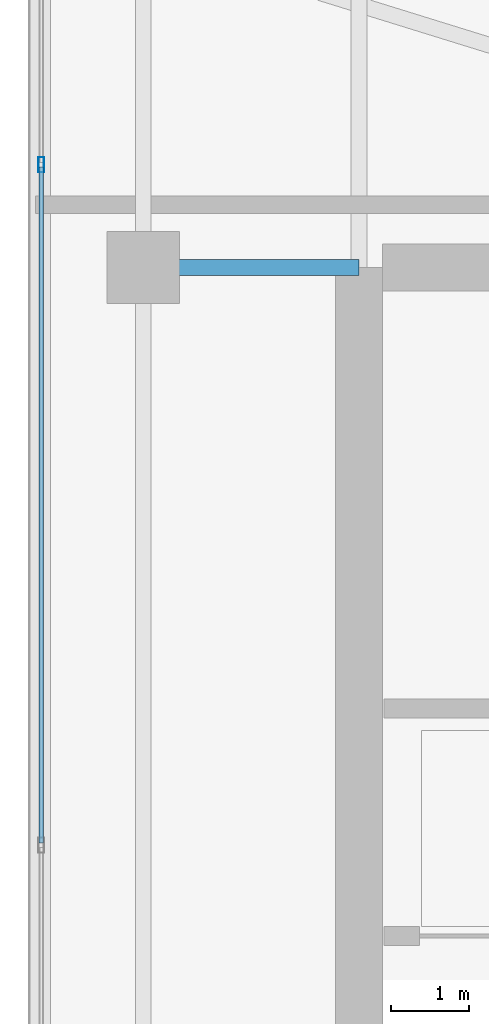
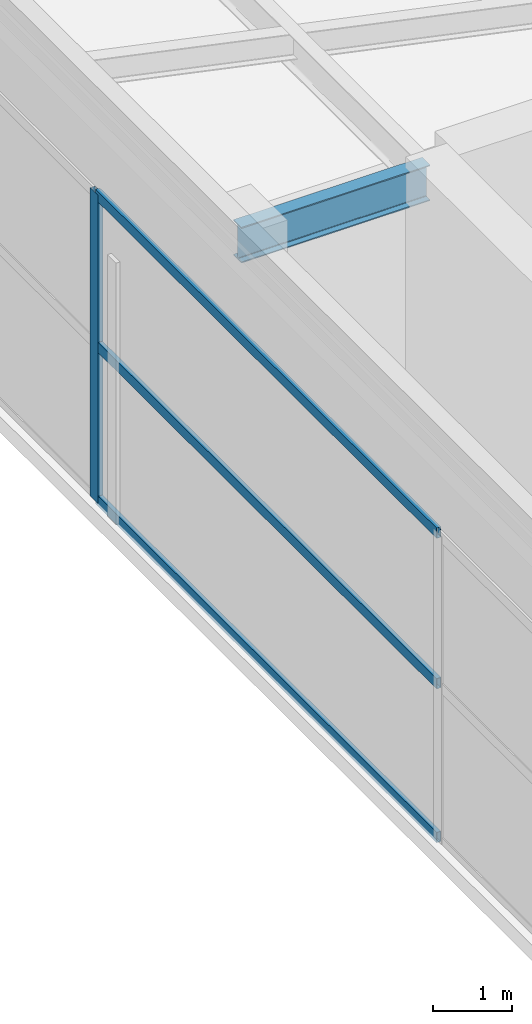
# One storey, part 13 of 20: 4 members, 1 beam, 1 element without a shape of its own.
"""IFC4 building model written with IfcOpenShell, lengths in metres."""

from ifc_helpers import new_model, si_unit, direction, frame, origin, origin_2d, place, context, subcontext, project, spatial, hollow_rectangle, i_section, extrude, material, layer, layer_set, material_profile, profile_set, type_object, element, aggregate, save


model = new_model("IFC4")

# Units and contexts
model_context = context("Model", 3, precision=1e-05, world=origin(), true_north=direction((0.0, 1.0)))
body_context = subcontext(model_context, "Body", "Model", "MODEL_VIEW")
ifc_project = project(units=[si_unit("LENGTHUNIT", "METRE"), si_unit("AREAUNIT", "SQUARE_METRE"), si_unit("VOLUMEUNIT", "CUBIC_METRE"), si_unit("PLANEANGLEUNIT", "RADIAN"), si_unit("MASSUNIT", "GRAM", prefix="KILO")], contexts=[model_context])

# Site, building, storey
site_placement = place(None, origin())
site = spatial("IfcSite", under=ifc_project, at=site_placement, CompositionType="ELEMENT")
building_placement = place(site_placement, origin())
building = spatial("IfcBuilding", under=site, at=building_placement, Name="Calvorn Quay Hotel", CompositionType="ELEMENT")
storey_placement = place(building_placement, frame((0.0, 0.0, 345.5)))
storey = spatial("IfcBuildingStorey", under=building, at=storey_placement, Name="L84", CompositionType="ELEMENT", Elevation=345.5)

# Beam
ifc_material_1 = material(Name="Steel Q355B", Category="steel")
ifc_material_profile_1 = material_profile(ifc_material_1, i_section(OverallWidth=0.199951171875, OverallDepth=0.550048828125, WebThickness=0.010009765625, FlangeThickness=0.01611328125, FilletRadius=0.01806640625, at=origin_2d()), Name="HN550x200x10x16")
ifc_profile_set_1 = profile_set([ifc_material_profile_1], Name="Steel Q355B")
beam_type = type_object("IfcBeamType", Name="BM-GIRD-UPP", PredefinedType="BEAM", material=ifc_profile_set_1)
beam_placement = place(storey_placement, frame((1.449951171875, 38.39990234375, 4.304931640625), z_axis=(1.0, 0.0, 0.0), x_axis=(0.0, 1.0, 0.0)))
element("IfcBeam", 1, at=beam_placement, inside=storey, type_object=beam_type, Name="Beam BG-L84-W3", PredefinedType="BEAM", context=body_context, shape_type="SweptSolid", body=[
    extrude(i_section(OverallWidth=0.199951171875, OverallDepth=0.550048828125, WebThickness=0.010009765625, FlangeThickness=0.01611328125, FilletRadius=0.01806640625, at=origin_2d()), origin(), (0.0, 0.0, 1.0), 2.75),
])

# Curtain wall, members
ifc_material_2 = material(Name="Pale Anodised Aluminium and Laminated Glass", Category="aluminium")
ifc_layer = layer(ifc_material_2, 0.219970703125)
ifc_layer_set = layer_set([ifc_layer], Name="CW-SYS-CRN")
curtain_wall_type = type_object("IfcCurtainWallType", Name="CW-SYS-CRN", PredefinedType="NOTDEFINED", material=ifc_layer_set)
curtain_wall_placement = place(storey_placement, origin())
curtain_wall = element("IfcCurtainWall", 2, at=curtain_wall_placement, inside=storey, type_object=curtain_wall_type, Name="Crown Curtain Wall L84-C3", PredefinedType="NOTDEFINED")
ifc_material_3 = material(Name="Pale Anodised Aluminium 6063-T6", Category="aluminium")
ifc_material_profile_2 = material_profile(ifc_material_3, hollow_rectangle(XDim=0.072021484375, YDim=0.195068359375, WallThickness=0.00390625, at=origin_2d()), Name="ALU-M195x72x4")
ifc_profile_set_2 = profile_set([ifc_material_profile_2], Name="Pale Anodised Aluminium 6063-T6")
member_type_1 = type_object("IfcMemberType", Name="CW-SYS-CRN-MUL", PredefinedType="MULLION", material=ifc_profile_set_2)
member_1_placement = place(storey_placement, frame((0.14990234375, 39.7080078125, 0.0), z_axis=(0.0, 0.0, 1.0), x_axis=(1.0, 0.0, 0.0)))
member_1 = element("IfcMember", 3, at=member_1_placement, type_object=member_type_1, Name="CW-L84-C3 mullion 2", PredefinedType="MULLION", context=body_context, shape_type="SweptSolid", body=[
    extrude(hollow_rectangle(XDim=0.072021484375, YDim=0.195068359375, WallThickness=0.00390625, at=origin_2d()), origin(), (0.0, 0.0, 1.0), 4.75),
])
ifc_material_4 = material(Name="Pale Anodised Aluminium 6063-T6", Category="aluminium")
ifc_material_profile_3 = material_profile(ifc_material_4, hollow_rectangle(XDim=0.06201171875, YDim=0.159912109375, WallThickness=0.00341796875, at=origin_2d()), Name="ALU-T160x62x3.5")
ifc_profile_set_3 = profile_set([ifc_material_profile_3], Name="Pale Anodised Aluminium 6063-T6")
member_type_2 = type_object("IfcMemberType", Name="CW-SYS-CRN-TRN", PredefinedType="USERDEFINED", material=ifc_profile_set_3)
member_2_placement = place(storey_placement, frame((0.14990234375, 39.677978515625, 0.030029296875), z_axis=(0.0, -1.0, 0.0), x_axis=(1.0, 0.0, 0.0)))
member_2 = element("IfcMember", 4, at=member_2_placement, type_object=member_type_2, Name="CW-L84-C3 transom 2.1", ObjectType="TRANSOM", PredefinedType="USERDEFINED", context=body_context, shape_type="SweptSolid", body=[
    extrude(hollow_rectangle(XDim=0.06201171875, YDim=0.159912109375, WallThickness=0.00341796875, at=origin_2d()), origin(), (0.0, 0.0, 1.0), 8.612060546875),
])
member_3_placement = place(storey_placement, frame((0.14990234375, 39.677978515625, 2.39990234375), z_axis=(0.0, -1.0, 0.0), x_axis=(1.0, 0.0, 0.0)))
member_3 = element("IfcMember", 5, at=member_3_placement, type_object=member_type_2, Name="CW-L84-C3 transom 2.2", ObjectType="TRANSOM", PredefinedType="USERDEFINED", context=body_context, shape_type="SweptSolid", body=[
    extrude(hollow_rectangle(XDim=0.06201171875, YDim=0.159912109375, WallThickness=0.00341796875, at=origin_2d()), origin(), (0.0, 0.0, 1.0), 8.612060546875),
])
member_4_placement = place(storey_placement, frame((0.14990234375, 39.677978515625, 4.719970703125), z_axis=(0.0, -1.0, 0.0), x_axis=(1.0, 0.0, 0.0)))
member_4 = element("IfcMember", 6, at=member_4_placement, type_object=member_type_2, Name="CW-L84-C3 transom 2.3", ObjectType="TRANSOM", PredefinedType="USERDEFINED", context=body_context, shape_type="SweptSolid", body=[
    extrude(hollow_rectangle(XDim=0.06201171875, YDim=0.159912109375, WallThickness=0.00341796875, at=origin_2d()), origin(), (0.0, 0.0, 1.0), 8.612060546875),
])
aggregate(curtain_wall, [member_1, member_2, member_3, member_4])

save(model, "model.ifc")
